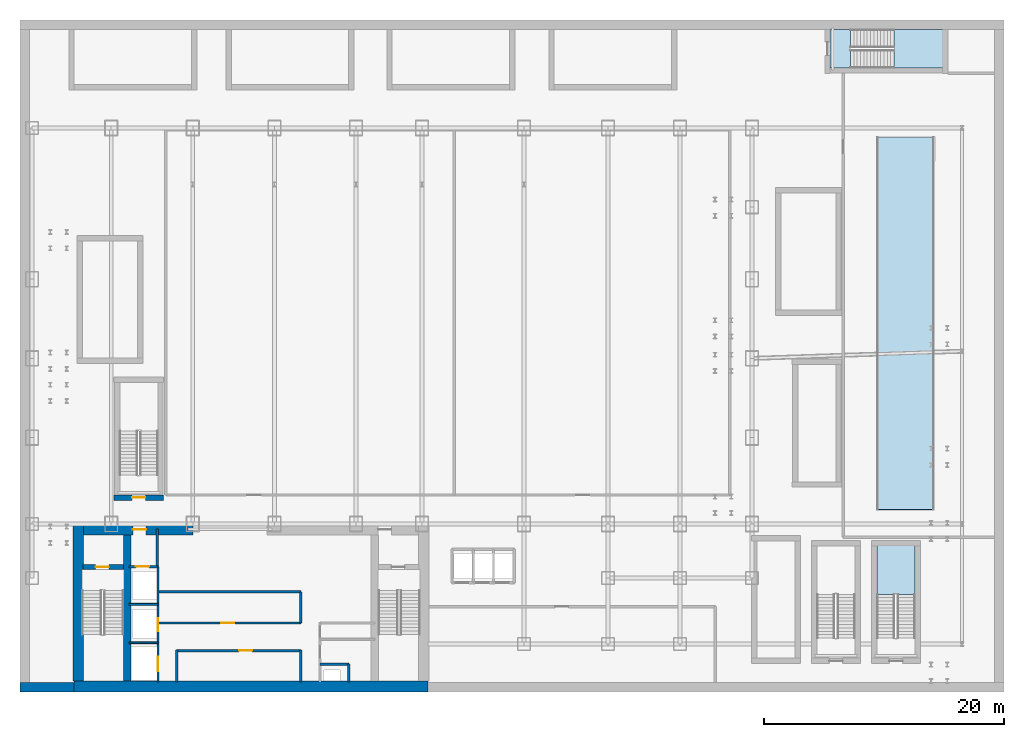
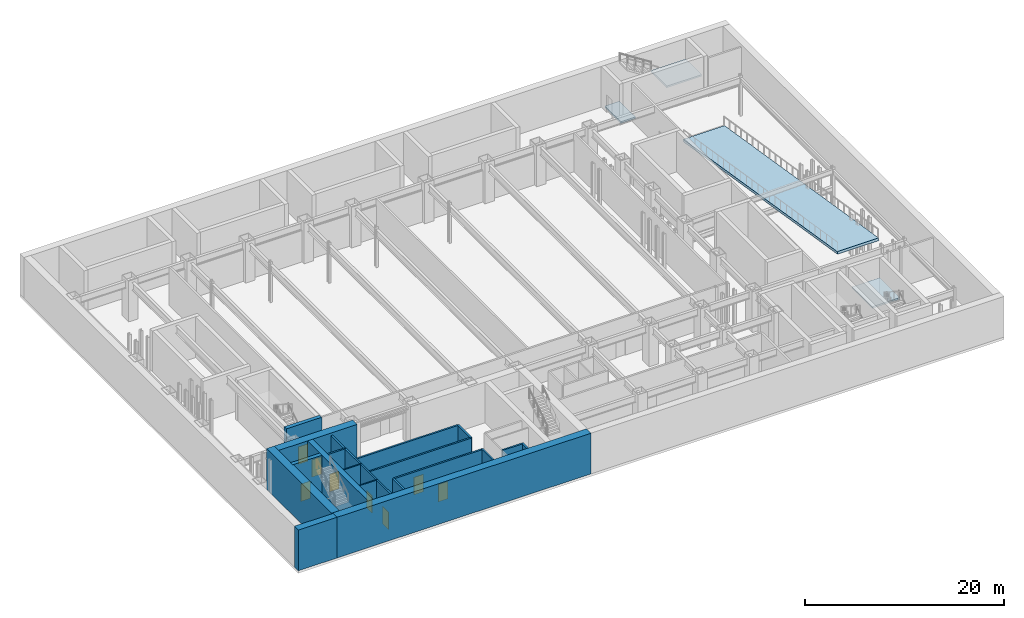
# One storey, part 8 of 16: 20 walls, 8 doors, 4 slabs, 8 openings, 2 elements without a shape of their own.
"""IFC4 building model written with IfcOpenShell, lengths in metres."""

from ifc_helpers import new_model, si_unit, derived_unit, direction, frame, frame_2d, origin, place, context, subcontext, project, spatial, polyline, rectangle, outline, extrude, source, transform, mapped, material, layer, layer_set, type_object, element, fill, aggregate, save


model = new_model("IFC4")

# Units and contexts
model_context = context("Model", 3, precision=1e-05, world=origin(), true_north=direction((0.0, 1.0)))
body_context = subcontext(model_context, "Body", "Model", "MODEL_VIEW")
ifc_project = project(units=[si_unit("LENGTHUNIT", "METRE"), si_unit("AREAUNIT", "SQUARE_METRE"), si_unit("VOLUMEUNIT", "CUBIC_METRE"), si_unit("PLANEANGLEUNIT", "RADIAN"), si_unit("MASSUNIT", "GRAM", prefix="KILO"), derived_unit("THERMALTRANSMITTANCEUNIT", [(si_unit("POWERUNIT", "WATT"), 1), (si_unit("LENGTHUNIT", "METRE"), -2), (si_unit("THERMODYNAMICTEMPERATUREUNIT", "KELVIN"), -1)])], contexts=[model_context])

# Site, building, storey
site_placement = place(None, origin())
site = spatial("IfcSite", under=ifc_project, at=site_placement, CompositionType="ELEMENT")
building_placement = place(site_placement, origin())
building = spatial("IfcBuilding", under=site, at=building_placement, Name="Skarnbrae Concourse Arena and Tower", CompositionType="ELEMENT")
storey_placement = place(building_placement, frame((0.0, 0.0, -5.0)))
storey = spatial("IfcBuildingStorey", under=building, at=storey_placement, Name="B01", CompositionType="ELEMENT", Elevation=-5.0)

# Stair, slab
ifc_material_1 = material(Name="Concrete 40 MPa (C40/50)", Category="concrete")
stair_type = type_object("IfcStairType", Name="STAIR-DOGLEG-1500", PredefinedType="HALF_TURN_STAIR", material=ifc_material_1)
stair_1_placement = place(storey_placement, origin())
stair_1 = element("IfcStair", 1, at=stair_1_placement, inside=storey, type_object=stair_type, Name="B01 Substructure Exit Stair ST-B2", PredefinedType="HALF_TURN_STAIR")
ifc_layer_1 = layer(ifc_material_1, 0.199951171875)
ifc_layer_set_1 = layer_set([ifc_layer_1], Name="Concrete 40 MPa (C40/50)")
slab_type_1 = type_object("IfcSlabType", Name="SLAB-LANDING-200", PredefinedType="LANDING", material=ifc_layer_set_1)
slab_1_placement = place(storey_placement, frame((0.0, 0.0, 2.300048828125)))
slab_1 = element("IfcSlab", 2, at=slab_1_placement, type_object=slab_type_1, Name="ST-B2 landing 1", PredefinedType="LANDING", context=body_context, shape_type="SweptSolid", body=[
    extrude(outline(polyline([(74.60009765625, 8.139892578125), (74.60009765625, 12.199951171875), (71.39990234375, 12.199951171875), (71.39990234375, 8.139892578125), (74.60009765625, 8.139892578125)])), origin(), (0.0, 0.0, 1.0), 0.199951171875),
])
aggregate(stair_1, [slab_1])

# Slab
slab_2_placement = place(storey_placement, frame((0.0, 0.0, -0.199951171875)))
element("IfcSlab", 3, at=slab_2_placement, inside=storey, type_object=slab_type_1, Name="B01 Stair ST-B4 near floor landing", PredefinedType="LANDING", context=body_context, shape_type="SweptSolid", body=[
    extrude(outline(polyline([(67.5, 52.0), (69.199951171875, 52.0), (69.199951171875, 55.199951171875), (67.5, 55.199951171875), (67.5, 52.0)])), origin(), (0.0, 0.0, 1.0), 0.199951171875),
])

# Stair, slab
stair_2_placement = place(storey_placement, origin())
stair_2 = element("IfcStair", 4, at=stair_2_placement, inside=storey, type_object=stair_type, Name="B01 Substructure Exit Stair ST-B4", PredefinedType="HALF_TURN_STAIR")
slab_3_placement = place(storey_placement, frame((0.0, 0.0, 2.300048828125)))
slab_3 = element("IfcSlab", 5, at=slab_3_placement, type_object=slab_type_1, Name="ST-B4 landing 1", PredefinedType="LANDING", context=body_context, shape_type="SweptSolid", body=[
    extrude(outline(polyline([(72.840087890625, 52.0), (76.89990234375, 52.0), (76.89990234375, 55.199951171875), (72.840087890625, 55.199951171875), (72.840087890625, 52.0)])), origin(), (0.0, 0.0, 1.0), 0.199951171875),
])
aggregate(stair_2, [slab_3])

# Slab
ifc_layer_2 = layer(ifc_material_1, 0.300048828125)
ifc_layer_set_2 = layer_set([ifc_layer_2], Name="Concrete 40 MPa (C40/50)")
slab_type_2 = type_object("IfcSlabType", Name="SLAB-RAMP-VEH-300", PredefinedType="USERDEFINED", material=ifc_layer_set_2)
slab_4_placement = place(storey_placement, frame((71.39990234375, 46.199951171875, 0.0), z_axis=(0.0, 0.159232438825, 0.987241120713), x_axis=(1.0, 0.0, 0.0)))
element("IfcSlab", 6, at=slab_4_placement, inside=storey, type_object=slab_type_2, Name="B01 to L00 Structural Vehicle Ramp Slab SR-RMP", ObjectType="RAMP", PredefinedType="USERDEFINED", context=body_context, shape_type="SweptSolid", body=[
    extrude(outline(polyline([(0.0, 0.0), (4.800048828125, 0.0), (4.800048828125, -31.400636936215168), (0.0, -31.400636936215168), (0.0, 0.0)])), origin(), (0.0, 0.0, -1.0), 0.300048828125),
])

# Walls
ifc_material_2 = material(Name="Concrete 50 MPa (C50/60)", Category="concrete")
ifc_layer_3 = layer(ifc_material_2, 0.800048828125)
ifc_layer_set_3 = layer_set([ifc_layer_3], Name="Concrete 50 MPa (C50/60)")
wall_type_1 = type_object("IfcWallType", Name="WALL-RETAINING-800", PredefinedType="USERDEFINED", material=ifc_layer_set_3)
shared_shape_1 = source(origin(), body_context, "Body", "SweptSolid", [
    extrude(rectangle(XDim=4.5, YDim=0.800048828125, at=frame_2d((2.25, 0.0))), origin(), (0.0, 0.0, 1.0), 5.0),
])
wall_1_placement = place(storey_placement, frame((0.0, 0.39990234375, 0.0), z_axis=(0.0, 0.0, 1.0), x_axis=(1.0, 0.0, 0.0)))
element("IfcWall", 7, at=wall_1_placement, inside=storey, type_object=wall_type_1, Name="B01 Basement retaining wall RW-SW", ObjectType="RETAINING WALL", PredefinedType="USERDEFINED", context=body_context, shape_type="MappedRepresentation", body=[
    mapped(shared_shape_1, transform((0.0, 0.0, 0.0))),
])
ifc_material_3 = material(Name="Concrete 70 MPa (C70/85)", Category="concrete")
ifc_layer_4 = layer(ifc_material_3, 0.89990234375)
ifc_layer_set_4 = layer_set([ifc_layer_4], Name="Concrete 70 MPa (C70/85)")
wall_type_2 = type_object("IfcWallType", Name="WALL-CORE-900-C70", PredefinedType="SHEAR", material=ifc_layer_set_4)
shared_shape_2 = source(origin(), body_context, "Body", "SweptSolid", [
    extrude(rectangle(XDim=29.5, YDim=0.89990234375, at=frame_2d((14.75, 0.0))), origin(), (0.0, 0.0, 1.0), 5.0),
])
wall_2_placement = place(storey_placement, frame((4.5, 0.449951171875, 0.0), z_axis=(0.0, 0.0, 1.0), x_axis=(1.0, 0.0, 0.0)))
element("IfcWall", 8, at=wall_2_placement, inside=storey, type_object=wall_type_2, Name="B01 Rear core shear wall CW-S", PredefinedType="SHEAR", context=body_context, shape_type="MappedRepresentation", body=[
    mapped(shared_shape_2, transform((0.0, 0.0, 0.0))),
])
shared_shape_3 = source(origin(), body_context, "Body", "SweptSolid", [
    extrude(rectangle(XDim=13.10009765625, YDim=0.89990234375, at=frame_2d((6.550048828125, 0.0))), origin(), (0.0, 0.0, 1.0), 5.0),
])
wall_3_placement = place(storey_placement, frame((4.85009765625, 0.89990234375, 0.0), z_axis=(0.0, 0.0, 1.0), x_axis=(0.0, 1.0, 0.0)))
element("IfcWall", 9, at=wall_3_placement, inside=storey, type_object=wall_type_2, Name="B01 Rear core shear wall CW-W", PredefinedType="SHEAR", context=body_context, shape_type="MappedRepresentation", body=[
    mapped(shared_shape_3, transform((0.0, 0.0, 0.0))),
])
ifc_layer_5 = layer(ifc_material_3, 0.60009765625)
ifc_layer_set_5 = layer_set([ifc_layer_5], Name="Concrete 70 MPa (C70/85)")
wall_type_3 = type_object("IfcWallType", Name="WALL-CORE-600-C70", PredefinedType="SHEAR", material=ifc_layer_set_5)
shared_shape_4 = source(origin(), body_context, "Body", "SweptSolid", [
    extrude(rectangle(XDim=12.2001953125, YDim=0.60009765625, at=frame_2d((6.10009765625, 0.0))), origin(), (0.0, 0.0, 1.0), 5.0),
])
wall_4_placement = place(storey_placement, frame((8.93994140625, 0.89990234375, 0.0), z_axis=(0.0, 0.0, 1.0), x_axis=(0.0, 1.0, 0.0)))
element("IfcWall", 10, at=wall_4_placement, inside=storey, type_object=wall_type_3, Name="B01 Rear core shear wall CW-WEB-W", PredefinedType="SHEAR", context=body_context, shape_type="MappedRepresentation", body=[
    mapped(shared_shape_4, transform((0.0, 0.0, 0.0))),
])

# Wall, opening, door
shared_shape_5 = source(origin(), body_context, "Body", "SweptSolid", [
    extrude(rectangle(XDim=9.099853515625, YDim=0.89990234375, at=frame_2d((4.5498046875, 0.0))), origin(), (0.0, 0.0, 1.0), 5.0),
])
wall_5_placement = place(storey_placement, frame((5.300048828125, 13.550048828125, 0.0), z_axis=(0.0, 0.0, 1.0), x_axis=(1.0, 0.0, 0.0)))
wall_5 = element("IfcWall", 11, at=wall_5_placement, inside=storey, type_object=wall_type_2, Name="B01 Rear core shear wall CW-NW", PredefinedType="SHEAR", context=body_context, shape_type="MappedRepresentation", body=[
    mapped(shared_shape_5, transform((0.0, 0.0, 0.0))),
])
opening_1_placement = place(wall_5_placement, frame((4.10009765625, 0.0, 0.0)))
opening_1 = element("IfcOpeningElement", 12, at=opening_1_placement, cuts=wall_5, Name="Opening DT-03", PredefinedType="OPENING", context=body_context, shape_type="SweptSolid", body=[
    extrude(rectangle(XDim=1.10009765625, YDim=2.14990234375, at=frame_2d((0.550048828125, 1.074951171875))), frame((0.0, 0.4599609375, 0.0), z_axis=(0.0, -1.0, 0.0), x_axis=(1.0, 0.0, 0.0)), (0.0, 0.0, 1.0), 0.919921875),
])
ifc_material_4 = material(Name="Steel CSA G40.21 350W", Category="steel")
door_type_1 = type_object("IfcDoorType", Name="DOOR-FIRE-1100-90M", OperationType="NOTDEFINED", PredefinedType="DOOR", material=ifc_material_4)
shared_shape_6 = source(origin(), body_context, "Body", "SweptSolid", [
    extrude(rectangle(XDim=1.10009765625, YDim=2.14990234375, at=frame_2d((0.550048828125, 1.074951171875))), frame((0.0, 0.02490234375, 0.0), z_axis=(0.0, -1.0, 0.0), x_axis=(1.0, 0.0, 0.0)), (0.0, 0.0, 1.0), 0.050048828125),
])
door_1_placement = place(opening_1_placement, origin())
door_1 = element("IfcDoor", 13, at=door_1_placement, inside=storey, type_object=door_type_1, Name="D-0125 Firefighting Lobby Exit Door", OperationType="SINGLE_SWING_RIGHT", OverallHeight=2.14990234375, OverallWidth=1.10009765625, PredefinedType="DOOR", context=body_context, shape_type="MappedRepresentation", body=[
    mapped(shared_shape_6, transform((0.0, 0.0, 0.0))),
])
fill(opening_1, door_1)

ifc_layer_6 = layer(ifc_material_2, 0.449951171875)
ifc_layer_set_6 = layer_set([ifc_layer_6], Name="Concrete 50 MPa (C50/60)")
wall_type_4 = type_object("IfcWallType", Name="WALL-CORE-450-C50", PredefinedType="SHEAR", material=ifc_layer_set_6)
shared_shape_7 = source(origin(), body_context, "Body", "SweptSolid", [
    extrude(rectangle(XDim=3.389892578125, YDim=0.449951171875, at=frame_2d((1.69482421875, 0.0))), origin(), (0.0, 0.0, 1.0), 5.0),
])
wall_6_placement = place(storey_placement, frame((5.25, 10.419921875, 0.0), z_axis=(0.0, 0.0, 1.0), x_axis=(1.0, 0.0, 0.0)))
wall_6 = element("IfcWall", 14, at=wall_6_placement, inside=storey, type_object=wall_type_4, Name="B01 Rear core shear wall CW-ST1-N", PredefinedType="SHEAR", context=body_context, shape_type="MappedRepresentation", body=[
    mapped(shared_shape_7, transform((0.0, 0.0, 0.0))),
])
opening_2_placement = place(wall_6_placement, frame((1.050048828125, 0.0, 0.0)))
opening_2 = element("IfcOpeningElement", 15, at=opening_2_placement, cuts=wall_6, Name="Opening DT-03", PredefinedType="OPENING", context=body_context, shape_type="SweptSolid", body=[
    extrude(rectangle(XDim=1.10009765625, YDim=2.14990234375, at=frame_2d((0.550048828125, 1.074951171875))), frame((0.0, 0.23486328125, 0.0), z_axis=(0.0, -1.0, 0.0), x_axis=(1.0, 0.0, 0.0)), (0.0, 0.0, 1.0), 0.469970703125),
])
door_2_placement = place(opening_2_placement, frame((1.10009765625, 0.0, 0.0), z_axis=(0.0, 0.0, 1.0), x_axis=(-1.0, 0.0, 0.0)))
door_2 = element("IfcDoor", 16, at=door_2_placement, inside=storey, type_object=door_type_1, Name="D-0123 Stair ST-1 Door", OperationType="SINGLE_SWING_LEFT", OverallHeight=2.14990234375, OverallWidth=1.10009765625, PredefinedType="DOOR", context=body_context, shape_type="MappedRepresentation", body=[
    mapped(shared_shape_6, transform((0.0, 0.0, 0.0))),
])
fill(opening_2, door_2)

shared_shape_8 = source(origin(), body_context, "Body", "SweptSolid", [
    extrude(rectangle(XDim=4.099853515625, YDim=0.449951171875, at=frame_2d((2.0498046875, 0.0))), origin(), (0.0, 0.0, 1.0), 5.0),
])
wall_7_placement = place(storey_placement, frame((7.85009765625, 16.195068359375, 0.0), z_axis=(0.0, 0.0, 1.0), x_axis=(1.0, 0.0, 0.0)))
wall_7 = element("IfcWall", 17, at=wall_7_placement, inside=storey, type_object=wall_type_4, Name="B01 Protected stair shaft wall ST-B3-S", PredefinedType="SHEAR", context=body_context, shape_type="MappedRepresentation", body=[
    mapped(shared_shape_8, transform((0.0, 0.0, 0.0))),
])
opening_3_placement = place(wall_7_placement, frame((1.5, 0.0, 0.0)))
opening_3 = element("IfcOpeningElement", 18, at=opening_3_placement, cuts=wall_7, Name="Opening DT-03", PredefinedType="OPENING", context=body_context, shape_type="SweptSolid", body=[
    extrude(rectangle(XDim=1.10009765625, YDim=2.14990234375, at=frame_2d((0.550048828125, 1.074951171875))), frame((0.0, 0.23486328125, 0.0), z_axis=(0.0, -1.0, 0.0), x_axis=(1.0, 0.0, 0.0)), (0.0, 0.0, 1.0), 0.469970703125),
])
door_3_placement = place(opening_3_placement, origin())
door_3 = element("IfcDoor", 19, at=door_3_placement, inside=storey, type_object=door_type_1, Name="D-0143 Exit Stair ST-B3 Door", OperationType="SINGLE_SWING_RIGHT", OverallHeight=2.14990234375, OverallWidth=1.10009765625, PredefinedType="DOOR", context=body_context, shape_type="MappedRepresentation", body=[
    mapped(shared_shape_6, transform((0.0, 0.0, 0.0))),
])
fill(opening_3, door_3)

# Wall
ifc_material_5 = material(Name="Gypsum board on cold-formed steel studs", Category="steel")
ifc_layer_7 = layer(ifc_material_5, 0.199951171875)
ifc_layer_set_7 = layer_set([ifc_layer_7], Name="Gypsum board on cold-formed steel studs")
wall_type_5 = type_object("IfcWallType", Name="WALL-PART-200-2HR", PredefinedType="PARTITIONING", material=ifc_layer_set_7)
shared_shape_9 = source(origin(), body_context, "Body", "SweptSolid", [
    extrude(rectangle(XDim=3.18017578125, YDim=0.199951171875, at=frame_2d((1.590087890625, 0.0))), origin(), (0.0, 0.0, 1.0), 4.699951171875),
])
wall_8_placement = place(storey_placement, frame((11.449951171875, 10.419921875, 0.0), z_axis=(0.0, 0.0, 1.0), x_axis=(0.0, 1.0, 0.0)))
element("IfcWall", 20, at=wall_8_placement, inside=storey, type_object=wall_type_5, Name="B01 Interior partition wall W-B01-FFL-E", PredefinedType="PARTITIONING", context=body_context, shape_type="MappedRepresentation", body=[
    mapped(shared_shape_9, transform((0.0, 0.0, 0.0))),
])

# Wall, opening, door
shared_shape_10 = source(origin(), body_context, "Body", "SweptSolid", [
    extrude(rectangle(XDim=2.349853515625, YDim=0.199951171875, at=frame_2d((1.1748046875, 0.0))), origin(), (0.0, 0.0, 1.0), 4.699951171875),
])
wall_9_placement = place(storey_placement, frame((9.10009765625, 10.449951171875, 0.0), z_axis=(0.0, 0.0, 1.0), x_axis=(1.0, 0.0, 0.0)))
wall_9 = element("IfcWall", 21, at=wall_9_placement, inside=storey, type_object=wall_type_5, Name="B01 Interior partition wall W-B01-FL1-N", PredefinedType="PARTITIONING", context=body_context, shape_type="MappedRepresentation", body=[
    mapped(shared_shape_10, transform((0.0, 0.0, 0.0))),
])
opening_4_placement = place(wall_9_placement, frame((0.550048828125, 0.0, 0.0)))
opening_4 = element("IfcOpeningElement", 22, at=opening_4_placement, cuts=wall_9, Name="Opening LD-01", PredefinedType="OPENING", context=body_context, shape_type="SweptSolid", body=[
    extrude(rectangle(XDim=1.10009765625, YDim=2.14990234375, at=frame_2d((0.550048828125, 1.074951171875))), frame((0.0, 0.10986328125, 0.0), z_axis=(0.0, -1.0, 0.0), x_axis=(1.0, 0.0, 0.0)), (0.0, 0.0, 1.0), 0.219970703125),
])
door_type_2 = type_object("IfcDoorType", Name="DOOR-LIFT-SLIDE-1100", OperationType="SLIDING_TO_LEFT", PredefinedType="DOOR", material=ifc_material_4)
door_4_placement = place(opening_4_placement, origin())
door_4 = element("IfcDoor", 23, at=door_4_placement, inside=storey, type_object=door_type_2, Name="D-0127 Firefighting Lift Landing Door FL-01", OperationType="SLIDING_TO_LEFT", OverallHeight=2.14990234375, OverallWidth=1.10009765625, PredefinedType="DOOR", context=body_context, shape_type="MappedRepresentation", body=[
    mapped(shared_shape_6, transform((0.0, 0.0, 0.0))),
])
fill(opening_4, door_4)

# Wall, openings, doors
shared_shape_11 = source(origin(), body_context, "Body", "SweptSolid", [
    extrude(rectangle(XDim=9.599853515625, YDim=0.199951171875, at=frame_2d((4.7998046875, 0.0))), origin(), (0.0, 0.0, 1.0), 4.699951171875),
])
wall_10_placement = place(storey_placement, frame((11.5, 0.85009765625, 0.0), z_axis=(0.0, 0.0, 1.0), x_axis=(0.0, 1.0, 0.0)))
wall_10 = element("IfcWall", 24, at=wall_10_placement, inside=storey, type_object=wall_type_5, Name="B01 Interior partition wall W-B01-FL-E", PredefinedType="PARTITIONING", context=body_context, shape_type="MappedRepresentation", body=[
    mapped(shared_shape_11, transform((0.0, 0.0, 0.0))),
])
opening_5_placement = place(wall_10_placement, frame((4.199951171875, 0.0, 0.0)))
opening_5 = element("IfcOpeningElement", 25, at=opening_5_placement, cuts=wall_10, Name="Opening LD-01", PredefinedType="OPENING", context=body_context, shape_type="SweptSolid", body=[
    extrude(rectangle(XDim=1.10009765625, YDim=2.14990234375, at=frame_2d((0.550048828125, 1.074951171875))), frame((0.0, 0.10986328125, 0.0), z_axis=(0.0, -1.0, 0.0), x_axis=(1.0, 0.0, 0.0)), (0.0, 0.0, 1.0), 0.219970703125),
])
opening_6_placement = place(wall_10_placement, frame((0.89990234375, 0.0, 0.0)))
opening_6 = element("IfcOpeningElement", 26, at=opening_6_placement, cuts=wall_10, Name="Opening LD-02", PredefinedType="OPENING", context=body_context, shape_type="SweptSolid", body=[
    extrude(rectangle(XDim=1.199951171875, YDim=2.14990234375, at=frame_2d((0.60009765625, 1.074951171875))), frame((0.0, 0.10986328125, 0.0), z_axis=(0.0, -1.0, 0.0), x_axis=(1.0, 0.0, 0.0)), (0.0, 0.0, 1.0), 0.219970703125),
])
door_5_placement = place(opening_5_placement, frame((1.10009765625, 0.0, 0.0), z_axis=(0.0, 0.0, 1.0), x_axis=(-1.0, 0.0, 0.0)))
door_5 = element("IfcDoor", 27, at=door_5_placement, inside=storey, type_object=door_type_2, Name="D-0128 Firefighting Lift Landing Door FL-02", OperationType="SLIDING_TO_LEFT", OverallHeight=2.14990234375, OverallWidth=1.10009765625, PredefinedType="DOOR", context=body_context, shape_type="MappedRepresentation", body=[
    mapped(shared_shape_6, transform((0.0, 0.0, 0.0))),
])
fill(opening_5, door_5)
door_type_3 = type_object("IfcDoorType", Name="DOOR-LIFT-SLIDE-1200", OperationType="SLIDING_TO_LEFT", PredefinedType="DOOR", material=ifc_material_4)
shared_shape_12 = source(origin(), body_context, "Body", "SweptSolid", [
    extrude(rectangle(XDim=1.199951171875, YDim=2.14990234375, at=frame_2d((0.60009765625, 1.074951171875))), frame((0.0, 0.02490234375, 0.0), z_axis=(0.0, -1.0, 0.0), x_axis=(1.0, 0.0, 0.0)), (0.0, 0.0, 1.0), 0.050048828125),
])
door_6_placement = place(opening_6_placement, frame((1.199951171875, 0.0, 0.0), z_axis=(0.0, 0.0, 1.0), x_axis=(-1.0, 0.0, 0.0)))
door_6 = element("IfcDoor", 28, at=door_6_placement, inside=storey, type_object=door_type_3, Name="D-0129 Service Lift Landing Door SV-01", OperationType="SLIDING_TO_LEFT", OverallHeight=2.14990234375, OverallWidth=1.199951171875, PredefinedType="DOOR", context=body_context, shape_type="MappedRepresentation", body=[
    mapped(shared_shape_12, transform((0.0, 0.0, 0.0))),
])
fill(opening_6, door_6)

# Walls
ifc_layer_8 = layer(ifc_material_5, 0.14990234375)
ifc_layer_set_8 = layer_set([ifc_layer_8], Name="Gypsum board on cold-formed steel studs")
wall_type_6 = type_object("IfcWallType", Name="WALL-PART-150", PredefinedType="PARTITIONING", material=ifc_layer_set_8)
shared_shape_13 = source(origin(), body_context, "Body", "SweptSolid", [
    extrude(rectangle(XDim=2.39990234375, YDim=0.14990234375, at=frame_2d((1.199951171875, 0.0))), origin(), (0.0, 0.0, 1.0), 4.699951171875),
])
for number, where, z_axis, x_axis, name in (
    (29, (9.10009765625, 4.10009765625, 0.0), (0.0, 0.0, 1.0), (1.0, 0.0, 0.0), "B01 Interior partition wall W-B01-FL-D1"),
    (30, (9.10009765625, 7.300048828125, 0.0), (0.0, 0.0, 1.0), (1.0, 0.0, 0.0), "B01 Interior partition wall W-B01-FL-D2"),
):
    element("IfcWall", number, at=place(storey_placement, frame(where, z_axis=z_axis, x_axis=x_axis)), inside=storey, type_object=wall_type_6, Name=name, PredefinedType="PARTITIONING", context=body_context, shape_type="MappedRepresentation", body=[
        mapped(shared_shape_13, transform((0.0, 0.0, 0.0))),
    ])
shared_shape_14 = source(origin(), body_context, "Body", "SweptSolid", [
    extrude(rectangle(XDim=2.64990234375, YDim=0.199951171875, at=frame_2d((1.324951171875, 0.0))), origin(), (0.0, 0.0, 1.0), 4.699951171875),
])
for number, where, z_axis, x_axis, name in (
    (31, (13.050048828125, 0.85009765625, 0.0), (0.0, 0.0, 1.0), (0.0, 1.0, 0.0), "B01 Interior partition wall W-B01-B1B-W"),
    (32, (23.39990234375, 0.85009765625, 0.0), (0.0, 0.0, 1.0), (0.0, 1.0, 0.0), "B01 Interior partition wall W-B01-B1B-E"),
):
    element("IfcWall", number, at=place(storey_placement, frame(where, z_axis=z_axis, x_axis=x_axis)), inside=storey, type_object=wall_type_5, Name=name, PredefinedType="PARTITIONING", context=body_context, shape_type="MappedRepresentation", body=[
        mapped(shared_shape_14, transform((0.0, 0.0, 0.0))),
    ])

# Wall, opening, door
shared_shape_15 = source(origin(), body_context, "Body", "SweptSolid", [
    extrude(rectangle(XDim=10.349853515625, YDim=0.199951171875, at=frame_2d((5.1748046875, 0.0))), origin(), (0.0, 0.0, 1.0), 4.699951171875),
])
wall_11_placement = place(storey_placement, frame((13.050048828125, 3.449951171875, 0.0), z_axis=(0.0, 0.0, 1.0), x_axis=(1.0, 0.0, 0.0)))
wall_11 = element("IfcWall", 33, at=wall_11_placement, inside=storey, type_object=wall_type_5, Name="B01 Interior partition wall W-B01-B1B-N", PredefinedType="PARTITIONING", context=body_context, shape_type="MappedRepresentation", body=[
    mapped(shared_shape_15, transform((0.0, 0.0, 0.0))),
])
opening_7_placement = place(wall_11_placement, frame((5.199951171875, 0.0, 0.0)))
opening_7 = element("IfcOpeningElement", 34, at=opening_7_placement, cuts=wall_11, Name="Opening DT-03", PredefinedType="OPENING", context=body_context, shape_type="SweptSolid", body=[
    extrude(rectangle(XDim=1.10009765625, YDim=2.14990234375, at=frame_2d((0.550048828125, 1.074951171875))), frame((0.0, 0.10986328125, 0.0), z_axis=(0.0, -1.0, 0.0), x_axis=(1.0, 0.0, 0.0)), (0.0, 0.0, 1.0), 0.219970703125),
])
door_7_placement = place(opening_7_placement, origin())
door_7 = element("IfcDoor", 35, at=door_7_placement, inside=storey, type_object=door_type_1, Name="D-0130 Core Plant Door", OperationType="SINGLE_SWING_LEFT", OverallHeight=2.14990234375, OverallWidth=1.10009765625, PredefinedType="DOOR", context=body_context, shape_type="MappedRepresentation", body=[
    mapped(shared_shape_6, transform((0.0, 0.0, 0.0))),
])
fill(opening_7, door_7)

shared_shape_16 = source(origin(), body_context, "Body", "SweptSolid", [
    extrude(rectangle(XDim=11.849853515625, YDim=0.199951171875, at=frame_2d((5.9248046875, 0.0))), origin(), (0.0, 0.0, 1.0), 4.699951171875),
])
wall_12_placement = place(storey_placement, frame((11.550048828125, 5.75, 0.0), z_axis=(0.0, 0.0, 1.0), x_axis=(1.0, 0.0, 0.0)))
wall_12 = element("IfcWall", 36, at=wall_12_placement, inside=storey, type_object=wall_type_5, Name="B01 Interior partition wall W-B01-B2B-S", PredefinedType="PARTITIONING", context=body_context, shape_type="MappedRepresentation", body=[
    mapped(shared_shape_16, transform((0.0, 0.0, 0.0))),
])
opening_8_placement = place(wall_12_placement, frame((5.199951171875, 0.0, 0.0)))
opening_8 = element("IfcOpeningElement", 37, at=opening_8_placement, cuts=wall_12, Name="Opening DT-03", PredefinedType="OPENING", context=body_context, shape_type="SweptSolid", body=[
    extrude(rectangle(XDim=1.10009765625, YDim=2.14990234375, at=frame_2d((0.550048828125, 1.074951171875))), frame((0.0, 0.10986328125, 0.0), z_axis=(0.0, -1.0, 0.0), x_axis=(1.0, 0.0, 0.0)), (0.0, 0.0, 1.0), 0.219970703125),
])
door_8_placement = place(opening_8_placement, frame((1.10009765625, 0.0, 0.0), z_axis=(0.0, 0.0, 1.0), x_axis=(-1.0, 0.0, 0.0)))
door_8 = element("IfcDoor", 38, at=door_8_placement, inside=storey, type_object=door_type_1, Name="D-0131 Core Machine Room Door", OperationType="SINGLE_SWING_RIGHT", OverallHeight=2.14990234375, OverallWidth=1.10009765625, PredefinedType="DOOR", context=body_context, shape_type="MappedRepresentation", body=[
    mapped(shared_shape_6, transform((0.0, 0.0, 0.0))),
])
fill(opening_8, door_8)

# Walls
wall_13_placement = place(storey_placement, frame((11.550048828125, 8.35009765625, 0.0), z_axis=(0.0, 0.0, 1.0), x_axis=(1.0, 0.0, 0.0)))
element("IfcWall", 39, at=wall_13_placement, inside=storey, type_object=wall_type_5, Name="B01 Interior partition wall W-B01-B2B-N", PredefinedType="PARTITIONING", context=body_context, shape_type="MappedRepresentation", body=[
    mapped(shared_shape_16, transform((0.0, 0.0, 0.0))),
])
shared_shape_17 = source(origin(), body_context, "Body", "SweptSolid", [
    extrude(rectangle(XDim=2.60009765625, YDim=0.199951171875, at=frame_2d((1.300048828125, 0.0))), origin(), (0.0, 0.0, 1.0), 4.699951171875),
])
wall_14_placement = place(storey_placement, frame((23.39990234375, 5.75, 0.0), z_axis=(0.0, 0.0, 1.0), x_axis=(0.0, 1.0, 0.0)))
element("IfcWall", 40, at=wall_14_placement, inside=storey, type_object=wall_type_5, Name="B01 Interior partition wall W-B01-B2B-E", PredefinedType="PARTITIONING", context=body_context, shape_type="MappedRepresentation", body=[
    mapped(shared_shape_17, transform((0.0, 0.0, 0.0))),
])
shared_shape_18 = source(origin(), body_context, "Body", "SweptSolid", [
    extrude(rectangle(XDim=2.39990234375, YDim=0.199951171875, at=frame_2d((1.199951171875, 0.0))), origin(), (0.0, 0.0, 1.0), 4.699951171875),
])
wall_15_placement = place(storey_placement, frame((25.0, 2.300048828125, 0.0), z_axis=(0.0, 0.0, 1.0), x_axis=(1.0, 0.0, 0.0)))
element("IfcWall", 41, at=wall_15_placement, inside=storey, type_object=wall_type_5, Name="B01 Interior partition wall W-B01-MEP-N", PredefinedType="PARTITIONING", context=body_context, shape_type="MappedRepresentation", body=[
    mapped(shared_shape_18, transform((0.0, 0.0, 0.0))),
])
shared_shape_19 = source(origin(), body_context, "Body", "SweptSolid", [
    extrude(rectangle(XDim=1.5, YDim=0.199951171875, at=frame_2d((0.75, 0.0))), origin(), (0.0, 0.0, 1.0), 4.699951171875),
])
wall_16_placement = place(storey_placement, frame((27.39990234375, 0.85009765625, 0.0), z_axis=(0.0, 0.0, 1.0), x_axis=(0.0, 1.0, 0.0)))
element("IfcWall", 42, at=wall_16_placement, inside=storey, type_object=wall_type_5, Name="B01 Interior partition wall W-B01-MEP-E", PredefinedType="PARTITIONING", context=body_context, shape_type="MappedRepresentation", body=[
    mapped(shared_shape_19, transform((0.0, 0.0, 0.0))),
])

save(model, "model.ifc")
